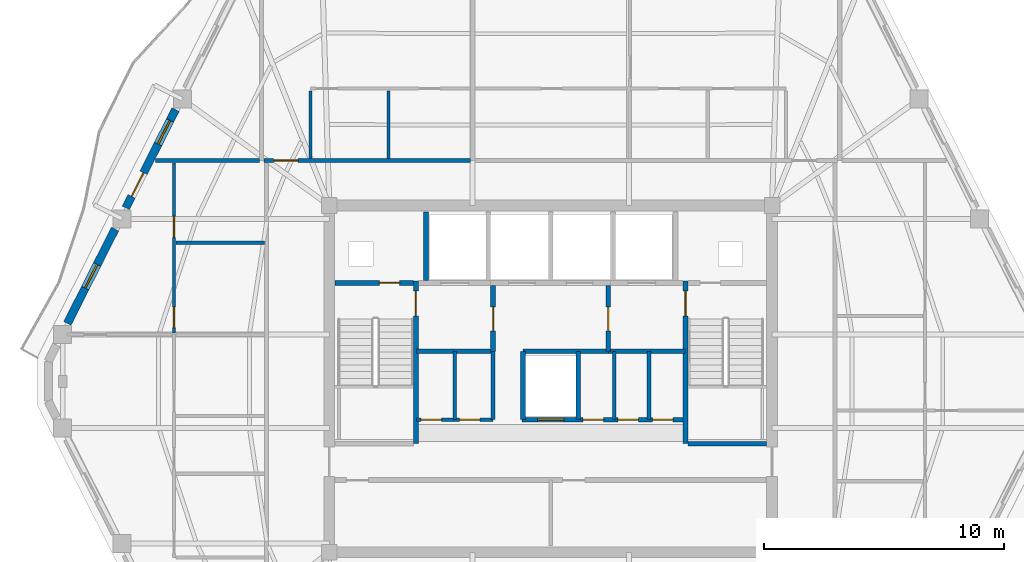
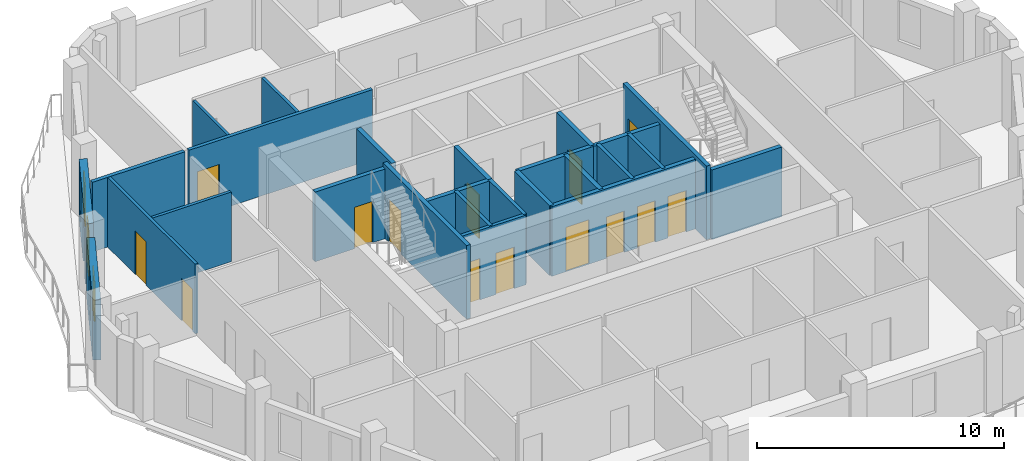
# One storey, part 5 of 11: 26 walls, 15 doors, 2 windows, 17 openings.
"""IFC4 building model written with IfcOpenShell, lengths in metres."""

from ifc_helpers import new_model, si_unit, direction, frame, frame_2d, origin, place, context, subcontext, project, spatial, rectangle, extrude, material, layer, layer_set, type_object, element, fill, save


model = new_model("IFC4")

# Units and contexts
model_context = context("Model", 3, precision=1e-05, world=origin(), true_north=direction((0.0, 1.0)))
body_context = subcontext(model_context, "Body", "Model", "MODEL_VIEW")
ifc_project = project(units=[si_unit("LENGTHUNIT", "METRE"), si_unit("AREAUNIT", "SQUARE_METRE"), si_unit("VOLUMEUNIT", "CUBIC_METRE"), si_unit("PLANEANGLEUNIT", "RADIAN"), si_unit("MASSUNIT", "GRAM", prefix="KILO")], contexts=[model_context])

# Site, building, storey
site_placement = place(None, origin())
site = spatial("IfcSite", under=ifc_project, at=site_placement, CompositionType="ELEMENT")
building_placement = place(site_placement, origin())
building = spatial("IfcBuilding", under=site, at=building_placement, Name="Cinnabar Lancet Tower", CompositionType="ELEMENT")
storey_placement = place(building_placement, frame((0.0, 0.0, 230.64990234375)))
storey = spatial("IfcBuildingStorey", under=building, at=storey_placement, Name="L61", CompositionType="ELEMENT", Elevation=230.64990234375)

# Wall, openings, doors
ifc_material_1 = material(Name="Acoustic twin-stud gypsum partition", Category="gypsum")
ifc_layer_1 = layer(ifc_material_1, 0.159912109375)
ifc_layer_set_1 = layer_set([ifc_layer_1], Name="Acoustic twin-stud gypsum partition")
wall_type_1 = type_object("IfcWallType", Name="ARC-WL-CORR-160", PredefinedType="PARTITIONING", material=ifc_layer_set_1)
wall_1_placement = place(storey_placement, frame((26.800048828125, 24.199951171875, 0.0), z_axis=(0.0, 0.0, 1.0), x_axis=(1.0, 0.0, 0.0)))
wall_1 = element("IfcWall", 1, at=wall_1_placement, inside=storey, type_object=wall_type_1, Name="CW-REC5S-L61", PredefinedType="PARTITIONING", context=body_context, shape_type="SweptSolid", body=[
    extrude(rectangle(XDim=3.199951171875, YDim=0.159912109375, at=frame_2d((1.60009765625, 0.0))), origin(), (0.0, 0.0, 1.0), 3.4501953125),
])
opening_1_placement = place(wall_1_placement, frame((0.199951171875, 0.0, 0.0)))
opening_1 = element("IfcOpeningElement", 2, at=opening_1_placement, cuts=wall_1, Name="Opening PD-02", PredefinedType="OPENING", context=body_context, shape_type="SweptSolid", body=[
    extrude(rectangle(XDim=0.85009765625, YDim=2.050048828125, at=frame_2d((0.425048828125, 1.02490234375))), frame((0.0, 0.08984375, 0.0), z_axis=(0.0, -1.0, 0.0), x_axis=(1.0, 0.0, 0.0)), (0.0, 0.0, 1.0), 0.179931640625),
])
opening_2_placement = place(wall_1_placement, frame((1.800048828125, 0.0, 0.0)))
opening_2 = element("IfcOpeningElement", 3, at=opening_2_placement, cuts=wall_1, Name="Opening PD-02", PredefinedType="OPENING", context=body_context, shape_type="SweptSolid", body=[
    extrude(rectangle(XDim=0.85009765625, YDim=2.050048828125, at=frame_2d((0.425048828125, 1.02490234375))), frame((0.0, 0.08984375, 0.0), z_axis=(0.0, -1.0, 0.0), x_axis=(1.0, 0.0, 0.0)), (0.0, 0.0, 1.0), 0.179931640625),
])
ifc_material_2 = material(Name="Fire-rated steel riser access door", Category="steel")
door_type_1 = type_object("IfcDoorType", Name="ARC-DR-RISER", OperationType="NOTDEFINED", PredefinedType="DOOR", material=ifc_material_2)
door_1_placement = place(opening_1_placement, origin())
door_1 = element("IfcDoor", 4, at=door_1_placement, inside=storey, type_object=door_type_1, Name="DR-L61-REC5A", OperationType="SINGLE_SWING_LEFT", OverallHeight=2.050048828125, OverallWidth=0.85009765625, PredefinedType="DOOR", context=body_context, shape_type="SweptSolid", body=[
    extrude(rectangle(XDim=0.85009765625, YDim=2.050048828125, at=frame_2d((0.425048828125, 1.02490234375))), frame((0.0, 0.02490234375, 0.0), z_axis=(0.0, -1.0, 0.0), x_axis=(1.0, 0.0, 0.0)), (0.0, 0.0, 1.0), 0.050048828125),
])
fill(opening_1, door_1)
door_2_placement = place(opening_2_placement, origin())
door_2 = element("IfcDoor", 5, at=door_2_placement, inside=storey, type_object=door_type_1, Name="DR-L61-REC5B", OperationType="SINGLE_SWING_RIGHT", OverallHeight=2.050048828125, OverallWidth=0.85009765625, PredefinedType="DOOR", context=body_context, shape_type="SweptSolid", body=[
    extrude(rectangle(XDim=0.85009765625, YDim=2.050048828125, at=frame_2d((0.425048828125, 1.02490234375))), frame((0.0, 0.02490234375, 0.0), z_axis=(0.0, -1.0, 0.0), x_axis=(1.0, 0.0, 0.0)), (0.0, 0.0, 1.0), 0.050048828125),
])
fill(opening_2, door_2)

# Walls
for number, where, z_axis, x_axis, name in (
    (6, (30.0, 24.199951171875, 0.0), (0.0, 0.0, 1.0), (0.0, 1.0, 0.0), "CW-REC5E-L61"),
    (7, (28.39990234375, 24.199951171875, 0.0), (0.0, 0.0, 1.0), (0.0, 1.0, 0.0), "CW-REC5D0-L61"),
    (8, (35.050048828125, 24.199951171875, 0.0), (0.0, 0.0, 1.0), (0.0, 1.0, 0.0), "CW-REC6D1-L61"),
    (9, (36.5, 24.199951171875, 0.0), (0.0, 0.0, 1.0), (0.0, 1.0, 0.0), "CW-REC6D2-L61"),
):
    element("IfcWall", number, at=place(storey_placement, frame(where, z_axis=z_axis, x_axis=x_axis)), inside=storey, type_object=wall_type_1, Name=name, PredefinedType="PARTITIONING", context=body_context, shape_type="SweptSolid", body=[
        extrude(rectangle(XDim=2.85009765625, YDim=0.159912109375, at=frame_2d((1.425048828125, 0.0))), origin(), (0.0, 0.0, 1.0), 3.4501953125),
    ])

# Wall, opening, door
wall_2_placement = place(storey_placement, frame((20.445068359375, 35.0, 0.0), z_axis=(0.0, 0.0, 1.0), x_axis=(1.0, 0.0, 0.0)))
wall_2 = element("IfcWall", 10, at=wall_2_placement, inside=storey, type_object=wall_type_1, Name="L61 Unit N01 Corridor Wall", PredefinedType="PARTITIONING", context=body_context, shape_type="SweptSolid", body=[
    extrude(rectangle(XDim=8.60595703125, YDim=0.159912109375, at=frame_2d((4.302978515625, 0.0))), origin(), (0.0, 0.0, 1.0), 3.4501953125),
])
opening_3_placement = place(wall_2_placement, frame((0.405029296875, 0.0, 0.0)))
opening_3 = element("IfcOpeningElement", 11, at=opening_3_placement, cuts=wall_2, Name="Opening UD-01", PredefinedType="OPENING", context=body_context, shape_type="SweptSolid", body=[
    extrude(rectangle(XDim=1.02001953125, YDim=2.25, at=frame_2d((0.510009765625, 1.125))), frame((0.0, 0.08984375, 0.0), z_axis=(0.0, -1.0, 0.0), x_axis=(1.0, 0.0, 0.0)), (0.0, 0.0, 1.0), 0.179931640625),
])
ifc_material_3 = material(Name="Solid timber fire-rated apartment entrance door", Category="wood")
door_type_2 = type_object("IfcDoorType", Name="ARC-DR-UNIT", OperationType="NOTDEFINED", PredefinedType="DOOR", material=ifc_material_3)
door_3_placement = place(opening_3_placement, origin())
door_3 = element("IfcDoor", 12, at=door_3_placement, inside=storey, type_object=door_type_2, Name="DR-L61-N01-ENT", OperationType="SINGLE_SWING_RIGHT", OverallHeight=2.25, OverallWidth=1.02001953125, PredefinedType="DOOR", context=body_context, shape_type="SweptSolid", body=[
    extrude(rectangle(XDim=1.02001953125, YDim=2.25, at=frame_2d((0.510009765625, 1.125))), frame((0.0, 0.02490234375, 0.0), z_axis=(0.0, -1.0, 0.0), x_axis=(1.0, 0.0, 0.0)), (0.0, 0.0, 1.0), 0.050048828125),
])
fill(opening_3, door_3)

# Walls
ifc_material_4 = material(Name="Fire-rated twin-frame acoustic drywall", Category="gypsum")
ifc_layer_2 = layer(ifc_material_4, 0.179931640625)
ifc_layer_set_2 = layer_set([ifc_layer_2], Name="Fire-rated twin-frame acoustic drywall")
wall_type_2 = type_object("IfcWallType", Name="ARC-WL-PARTY-180", PredefinedType="PARTITIONING", material=ifc_layer_set_2)
wall_3_placement = place(storey_placement, frame((15.93310546875, 35.0, 0.0), z_axis=(0.0, 0.0, 1.0), x_axis=(1.0, 0.0, 0.0)))
element("IfcWall", 13, at=wall_3_placement, inside=storey, type_object=wall_type_2, Name="PW-L61-WNB", PredefinedType="PARTITIONING", context=body_context, shape_type="SweptSolid", body=[
    extrude(rectangle(XDim=4.32177734375, YDim=0.179931640625, at=frame_2d((2.160888671875, 0.0))), origin(), (0.0, 0.0, 1.0), 3.4501953125),
])
ifc_material_5 = material(Name="Autoclaved aerated concrete blockwork", Category="masonry")
ifc_layer_3 = layer(ifc_material_5, 0.199951171875)
ifc_layer_set_3 = layer_set([ifc_layer_3], Name="Autoclaved aerated concrete blockwork")
wall_type_3 = type_object("IfcWallType", Name="ARC-WL-SHAFT-200", PredefinedType="PLUMBINGWALL", material=ifc_layer_set_3)
wall_4_placement = place(storey_placement, frame((38.125, 23.199951171875, 0.0), z_axis=(0.0, 0.0, 1.0), x_axis=(1.0, 0.0, 0.0)))
element("IfcWall", 14, at=wall_4_placement, inside=storey, type_object=wall_type_3, Name="CW-ST2S-L61", PredefinedType="PLUMBINGWALL", context=body_context, shape_type="SweptSolid", body=[
    extrude(rectangle(XDim=3.27001953125, YDim=0.199951171875, at=frame_2d((1.635009765625, 0.0))), origin(), (0.0, 0.0, 1.0), 3.4501953125),
])

# Wall, opening, door
wall_5_placement = place(storey_placement, frame((23.405029296875, 29.89990234375, 0.0), z_axis=(0.0, 0.0, 1.0), x_axis=(1.0, 0.0, 0.0)))
wall_5 = element("IfcWall", 15, at=wall_5_placement, inside=storey, type_object=wall_type_3, Name="CW-NSH-W-L61", PredefinedType="PLUMBINGWALL", context=body_context, shape_type="SweptSolid", body=[
    extrude(rectangle(XDim=3.27001953125, YDim=0.199951171875, at=frame_2d((1.635009765625, 0.0))), origin(), (0.0, 0.0, 1.0), 3.4501953125),
])
opening_4_placement = place(wall_5_placement, frame((1.85009765625, 0.0, 0.0)))
opening_4 = element("IfcOpeningElement", 16, at=opening_4_placement, cuts=wall_5, Name="Opening PD-02", PredefinedType="OPENING", context=body_context, shape_type="SweptSolid", body=[
    extrude(rectangle(XDim=0.85009765625, YDim=2.050048828125, at=frame_2d((0.425048828125, 1.02490234375))), frame((0.0, 0.10986328125, 0.0), z_axis=(0.0, -1.0, 0.0), x_axis=(1.0, 0.0, 0.0)), (0.0, 0.0, 1.0), 0.219970703125),
])
door_4_placement = place(opening_4_placement, origin())
door_4 = element("IfcDoor", 17, at=door_4_placement, inside=storey, type_object=door_type_1, Name="L61 West Riser Access Door", OperationType="SINGLE_SWING_LEFT", OverallHeight=2.050048828125, OverallWidth=0.85009765625, PredefinedType="DOOR", context=body_context, shape_type="SweptSolid", body=[
    extrude(rectangle(XDim=0.85009765625, YDim=2.050048828125, at=frame_2d((0.425048828125, 1.02490234375))), frame((0.0, 0.02490234375, 0.0), z_axis=(0.0, -1.0, 0.0), x_axis=(1.0, 0.0, 0.0)), (0.0, 0.0, 1.0), 0.050048828125),
])
fill(opening_4, door_4)

# Wall
wall_6_placement = place(storey_placement, frame((27.199951171875, 30.0, 0.0), z_axis=(0.0, 0.0, 1.0), x_axis=(0.0, 1.0, 0.0)))
element("IfcWall", 18, at=wall_6_placement, inside=storey, type_object=wall_type_3, Name="CW-NSH-D1-L61", PredefinedType="PLUMBINGWALL", context=body_context, shape_type="SweptSolid", body=[
    extrude(rectangle(XDim=2.85009765625, YDim=0.199951171875, at=frame_2d((1.425048828125, 0.0))), origin(), (0.0, 0.0, 1.0), 3.4501953125),
])

# Wall, opening, door
wall_7_placement = place(storey_placement, frame((30.0, 27.050048828125, 0.0), z_axis=(0.0, 0.0, 1.0), x_axis=(0.0, 1.0, 0.0)))
wall_7 = element("IfcWall", 19, at=wall_7_placement, inside=storey, type_object=wall_type_3, Name="CW-FF1E-L61", PredefinedType="PLUMBINGWALL", context=body_context, shape_type="SweptSolid", body=[
    extrude(rectangle(XDim=2.75, YDim=0.199951171875, at=frame_2d((1.375, 0.0))), origin(), (0.0, 0.0, 1.0), 3.4501953125),
])
opening_5_placement = place(wall_7_placement, frame((0.85009765625, 0.0, 0.0)))
opening_5 = element("IfcOpeningElement", 20, at=opening_5_placement, cuts=wall_7, Name="Opening FD-01", PredefinedType="OPENING", context=body_context, shape_type="SweptSolid", body=[
    extrude(rectangle(XDim=1.0, YDim=2.14990234375, at=frame_2d((0.5, 1.074951171875))), frame((0.0, 0.10986328125, 0.0), z_axis=(0.0, -1.0, 0.0), x_axis=(1.0, 0.0, 0.0)), (0.0, 0.0, 1.0), 0.219970703125),
])
ifc_material_6 = material(Name="Fire-rated timber-core lobby door", Category="wood")
door_type_3 = type_object("IfcDoorType", Name="ARC-DR-FFAL", OperationType="NOTDEFINED", PredefinedType="DOOR", material=ifc_material_6)
door_5_placement = place(opening_5_placement, origin())
door_5 = element("IfcDoor", 21, at=door_5_placement, inside=storey, type_object=door_type_3, Name="L61 FFAL-1 Lobby Fire Door", OperationType="SINGLE_SWING_RIGHT", OverallHeight=2.14990234375, OverallWidth=1.0, PredefinedType="DOOR", context=body_context, shape_type="SweptSolid", body=[
    extrude(rectangle(XDim=1.0, YDim=2.14990234375, at=frame_2d((0.5, 1.074951171875))), frame((0.0, 0.02490234375, 0.0), z_axis=(0.0, -1.0, 0.0), x_axis=(1.0, 0.0, 0.0)), (0.0, 0.0, 1.0), 0.050048828125),
])
fill(opening_5, door_5)

# Wall
wall_8_placement = place(storey_placement, frame((26.800048828125, 27.050048828125, 0.0), z_axis=(0.0, 0.0, 1.0), x_axis=(1.0, 0.0, 0.0)))
element("IfcWall", 22, at=wall_8_placement, inside=storey, type_object=wall_type_3, Name="CW-FF1S-L61", PredefinedType="PLUMBINGWALL", context=body_context, shape_type="SweptSolid", body=[
    extrude(rectangle(XDim=3.199951171875, YDim=0.199951171875, at=frame_2d((1.60009765625, 0.0))), origin(), (0.0, 0.0, 1.0), 3.4501953125),
])

# Wall, opening, door
wall_9_placement = place(storey_placement, frame((34.800048828125, 27.050048828125, 0.0), z_axis=(0.0, 0.0, 1.0), x_axis=(0.0, 1.0, 0.0)))
wall_9 = element("IfcWall", 23, at=wall_9_placement, inside=storey, type_object=wall_type_3, Name="CW-FF2W-L61", PredefinedType="PLUMBINGWALL", context=body_context, shape_type="SweptSolid", body=[
    extrude(rectangle(XDim=2.75, YDim=0.199951171875, at=frame_2d((1.375, 0.0))), origin(), (0.0, 0.0, 1.0), 3.4501953125),
])
opening_6_placement = place(wall_9_placement, frame((0.85009765625, 0.0, 0.0)))
opening_6 = element("IfcOpeningElement", 24, at=opening_6_placement, cuts=wall_9, Name="Opening FD-01", PredefinedType="OPENING", context=body_context, shape_type="SweptSolid", body=[
    extrude(rectangle(XDim=1.0, YDim=2.14990234375, at=frame_2d((0.5, 1.074951171875))), frame((0.0, 0.10986328125, 0.0), z_axis=(0.0, -1.0, 0.0), x_axis=(1.0, 0.0, 0.0)), (0.0, 0.0, 1.0), 0.219970703125),
])
door_6_placement = place(opening_6_placement, origin())
door_6 = element("IfcDoor", 25, at=door_6_placement, inside=storey, type_object=door_type_3, Name="L61 FFAL-2 Lobby Fire Door", OperationType="SINGLE_SWING_LEFT", OverallHeight=2.14990234375, OverallWidth=1.0, PredefinedType="DOOR", context=body_context, shape_type="SweptSolid", body=[
    extrude(rectangle(XDim=1.0, YDim=2.14990234375, at=frame_2d((0.5, 1.074951171875))), frame((0.0, 0.02490234375, 0.0), z_axis=(0.0, -1.0, 0.0), x_axis=(1.0, 0.0, 0.0)), (0.0, 0.0, 1.0), 0.050048828125),
])
fill(opening_6, door_6)

# Wall
wall_10_placement = place(storey_placement, frame((34.800048828125, 27.050048828125, 0.0), z_axis=(0.0, 0.0, 1.0), x_axis=(1.0, 0.0, 0.0)))
element("IfcWall", 26, at=wall_10_placement, inside=storey, type_object=wall_type_3, Name="CW-FF2S-L61", PredefinedType="PLUMBINGWALL", context=body_context, shape_type="SweptSolid", body=[
    extrude(rectangle(XDim=3.199951171875, YDim=0.199951171875, at=frame_2d((1.60009765625, 0.0))), origin(), (0.0, 0.0, 1.0), 3.4501953125),
])

# Wall, openings, doors
wall_11_placement = place(storey_placement, frame((31.199951171875, 24.199951171875, 0.0), z_axis=(0.0, 0.0, 1.0), x_axis=(1.0, 0.0, 0.0)))
wall_11 = element("IfcWall", 27, at=wall_11_placement, inside=storey, type_object=wall_type_3, Name="CW-PL96S-L61", PredefinedType="PLUMBINGWALL", context=body_context, shape_type="SweptSolid", body=[
    extrude(rectangle(XDim=6.800048828125, YDim=0.199951171875, at=frame_2d((3.39990234375, 0.0))), origin(), (0.0, 0.0, 1.0), 3.4501953125),
])
opening_7_placement = place(wall_11_placement, frame((0.64990234375, 0.0, 0.0)))
opening_7 = element("IfcOpeningElement", 28, at=opening_7_placement, cuts=wall_11, Name="Opening LD-01", PredefinedType="OPENING", context=body_context, shape_type="SweptSolid", body=[
    extrude(rectangle(XDim=1.10009765625, YDim=2.199951171875, at=frame_2d((0.550048828125, 1.10009765625))), frame((0.0, 0.10986328125, 0.0), z_axis=(0.0, -1.0, 0.0), x_axis=(1.0, 0.0, 0.0)), (0.0, 0.0, 1.0), 0.219970703125),
])
opening_8_placement = place(wall_11_placement, frame((2.550048828125, 0.0, 0.0)))
opening_8 = element("IfcOpeningElement", 29, at=opening_8_placement, cuts=wall_11, Name="Opening PD-02", PredefinedType="OPENING", context=body_context, shape_type="SweptSolid", body=[
    extrude(rectangle(XDim=0.85009765625, YDim=2.050048828125, at=frame_2d((0.425048828125, 1.02490234375))), frame((0.0, 0.10986328125, 0.0), z_axis=(0.0, -1.0, 0.0), x_axis=(1.0, 0.0, 0.0)), (0.0, 0.0, 1.0), 0.219970703125),
])
opening_9_placement = place(wall_11_placement, frame((4.0, 0.0, 0.0)))
opening_9 = element("IfcOpeningElement", 30, at=opening_9_placement, cuts=wall_11, Name="Opening PD-02", PredefinedType="OPENING", context=body_context, shape_type="SweptSolid", body=[
    extrude(rectangle(XDim=0.85009765625, YDim=2.050048828125, at=frame_2d((0.425048828125, 1.02490234375))), frame((0.0, 0.10986328125, 0.0), z_axis=(0.0, -1.0, 0.0), x_axis=(1.0, 0.0, 0.0)), (0.0, 0.0, 1.0), 0.219970703125),
])
opening_10_placement = place(wall_11_placement, frame((5.449951171875, 0.0, 0.0)))
opening_10 = element("IfcOpeningElement", 31, at=opening_10_placement, cuts=wall_11, Name="Opening PD-02", PredefinedType="OPENING", context=body_context, shape_type="SweptSolid", body=[
    extrude(rectangle(XDim=0.85009765625, YDim=2.050048828125, at=frame_2d((0.425048828125, 1.02490234375))), frame((0.0, 0.10986328125, 0.0), z_axis=(0.0, -1.0, 0.0), x_axis=(1.0, 0.0, 0.0)), (0.0, 0.0, 1.0), 0.219970703125),
])
ifc_material_7 = material(Name="Brushed stainless steel sliding lift door", Category="steel")
door_type_4 = type_object("IfcDoorType", Name="ARC-DR-LD-PASS", OperationType="NOTDEFINED", PredefinedType="DOOR", material=ifc_material_7)
door_7_placement = place(opening_7_placement, origin())
door_7 = element("IfcDoor", 32, at=door_7_placement, inside=storey, type_object=door_type_4, Name="L61 Lift PL-9 Landing Door", OperationType="DOUBLE_DOOR_SLIDING", OverallHeight=2.199951171875, OverallWidth=1.10009765625, PredefinedType="DOOR", context=body_context, shape_type="SweptSolid", body=[
    extrude(rectangle(XDim=1.10009765625, YDim=2.199951171875, at=frame_2d((0.550048828125, 1.10009765625))), frame((0.0, 0.02490234375, 0.0), z_axis=(0.0, -1.0, 0.0), x_axis=(1.0, 0.0, 0.0)), (0.0, 0.0, 1.0), 0.050048828125),
])
fill(opening_7, door_7)
door_8_placement = place(opening_8_placement, origin())
door_8 = element("IfcDoor", 33, at=door_8_placement, inside=storey, type_object=door_type_1, Name="DR-L61-REC6A", OperationType="SINGLE_SWING_LEFT", OverallHeight=2.050048828125, OverallWidth=0.85009765625, PredefinedType="DOOR", context=body_context, shape_type="SweptSolid", body=[
    extrude(rectangle(XDim=0.85009765625, YDim=2.050048828125, at=frame_2d((0.425048828125, 1.02490234375))), frame((0.0, 0.02490234375, 0.0), z_axis=(0.0, -1.0, 0.0), x_axis=(1.0, 0.0, 0.0)), (0.0, 0.0, 1.0), 0.050048828125),
])
fill(opening_8, door_8)
door_9_placement = place(opening_9_placement, origin())
door_9 = element("IfcDoor", 34, at=door_9_placement, inside=storey, type_object=door_type_1, Name="DR-L61-REC6B", OperationType="SINGLE_SWING_RIGHT", OverallHeight=2.050048828125, OverallWidth=0.85009765625, PredefinedType="DOOR", context=body_context, shape_type="SweptSolid", body=[
    extrude(rectangle(XDim=0.85009765625, YDim=2.050048828125, at=frame_2d((0.425048828125, 1.02490234375))), frame((0.0, 0.02490234375, 0.0), z_axis=(0.0, -1.0, 0.0), x_axis=(1.0, 0.0, 0.0)), (0.0, 0.0, 1.0), 0.050048828125),
])
fill(opening_9, door_9)
door_10_placement = place(opening_10_placement, origin())
door_10 = element("IfcDoor", 35, at=door_10_placement, inside=storey, type_object=door_type_1, Name="DR-L61-REC6C", OperationType="SINGLE_SWING_LEFT", OverallHeight=2.050048828125, OverallWidth=0.85009765625, PredefinedType="DOOR", context=body_context, shape_type="SweptSolid", body=[
    extrude(rectangle(XDim=0.85009765625, YDim=2.050048828125, at=frame_2d((0.425048828125, 1.02490234375))), frame((0.0, 0.02490234375, 0.0), z_axis=(0.0, -1.0, 0.0), x_axis=(1.0, 0.0, 0.0)), (0.0, 0.0, 1.0), 0.050048828125),
])
fill(opening_10, door_10)

# Walls
for number, where, z_axis, x_axis, name in (
    (36, (31.25, 24.199951171875, 0.0), (0.0, 0.0, 1.0), (0.0, 1.0, 0.0), "CW-PL9W-L61"),
    (37, (33.550048828125, 24.199951171875, 0.0), (0.0, 0.0, 1.0), (0.0, 1.0, 0.0), "CW-PL9E-L61"),
):
    element("IfcWall", number, at=place(storey_placement, frame(where, z_axis=z_axis, x_axis=x_axis)), inside=storey, type_object=wall_type_3, Name=name, PredefinedType="PLUMBINGWALL", context=body_context, shape_type="SweptSolid", body=[
        extrude(rectangle(XDim=2.85009765625, YDim=0.199951171875, at=frame_2d((1.425048828125, 0.0))), origin(), (0.0, 0.0, 1.0), 3.4501953125),
    ])
wall_12_placement = place(storey_placement, frame((31.25, 27.050048828125, 0.0), z_axis=(0.0, 0.0, 1.0), x_axis=(1.0, 0.0, 0.0)))
element("IfcWall", 38, at=wall_12_placement, inside=storey, type_object=wall_type_3, Name="CW-PL96N-L61", PredefinedType="PLUMBINGWALL", context=body_context, shape_type="SweptSolid", body=[
    extrude(rectangle(XDim=3.550048828125, YDim=0.199951171875, at=frame_2d((1.77490234375, 0.0))), origin(), (0.0, 0.0, 1.0), 3.4501953125),
])
ifc_material_8 = material(Name="Gypsum plasterboard stud partition", Category="gypsum")
ifc_layer_4 = layer(ifc_material_8, 0.125)
ifc_layer_set_4 = layer_set([ifc_layer_4], Name="Gypsum plasterboard stud partition")
wall_type_4 = type_object("IfcWallType", Name="ARC-WL-UNIT-125", PredefinedType="PARTITIONING", material=ifc_layer_set_4)
wall_13_placement = place(storey_placement, frame((22.39990234375, 35.0849609375, 0.0), z_axis=(0.0, 0.0, 1.0), x_axis=(0.0, 1.0, 0.0)))
element("IfcWall", 39, at=wall_13_placement, inside=storey, type_object=wall_type_4, Name="UW-L61-N01-FOYE", PredefinedType="PARTITIONING", context=body_context, shape_type="SweptSolid", body=[
    extrude(rectangle(XDim=2.81103515625, YDim=0.125, at=frame_2d((1.405517578125, 0.0))), origin(), (0.0, 0.0, 1.0), 3.4501953125),
])
ifc_material_9 = material(Name="Moisture-resistant cement-board plumbing wall", Category="masonry")
ifc_layer_5 = layer(ifc_material_9, 0.139892578125)
ifc_layer_set_5 = layer_set([ifc_layer_5], Name="Moisture-resistant cement-board plumbing wall")
wall_type_5 = type_object("IfcWallType", Name="ARC-WL-WET-140", PredefinedType="PLUMBINGWALL", material=ifc_layer_set_5)
wall_14_placement = place(storey_placement, frame((25.637939453125, 35.0849609375, 0.0), z_axis=(0.0, 0.0, 1.0), x_axis=(0.0, 1.0, 0.0)))
element("IfcWall", 40, at=wall_14_placement, inside=storey, type_object=wall_type_5, Name="UW-L61-N01-KDV", PredefinedType="PLUMBINGWALL", context=body_context, shape_type="SweptSolid", body=[
    extrude(rectangle(XDim=2.81103515625, YDim=0.139892578125, at=frame_2d((1.405517578125, 0.0))), origin(), (0.0, 0.0, 1.0), 3.4501953125),
])

# Wall, openings, doors
wall_15_placement = place(storey_placement, frame((16.699951171875, 27.81591796875, 0.0), z_axis=(0.0, 0.0, 1.0), x_axis=(0.0, 1.0, 0.0)))
wall_15 = element("IfcWall", 41, at=wall_15_placement, inside=storey, type_object=wall_type_5, Name="UW-L61-W01-SPM", PredefinedType="PLUMBINGWALL", context=body_context, shape_type="SweptSolid", body=[
    extrude(rectangle(XDim=7.089111328125, YDim=0.139892578125, at=frame_2d((3.54443359375, 0.0))), origin(), (0.0, 0.0, 1.0), 3.4501953125),
])
opening_11_placement = place(wall_15_placement, frame((0.219970703125, 0.0, 0.0)))
opening_11 = element("IfcOpeningElement", 42, at=opening_11_placement, cuts=wall_15, Name="Opening BD-01", PredefinedType="OPENING", context=body_context, shape_type="SweptSolid", body=[
    extrude(rectangle(XDim=0.860107421875, YDim=2.10009765625, at=frame_2d((0.43017578125, 1.050048828125))), frame((0.0, 0.079833984375, 0.0), z_axis=(0.0, -1.0, 0.0), x_axis=(1.0, 0.0, 0.0)), (0.0, 0.0, 1.0), 0.159912109375),
])
opening_12_placement = place(wall_15_placement, frame((3.97998046875, 0.0, 0.0)))
opening_12 = element("IfcOpeningElement", 43, at=opening_12_placement, cuts=wall_15, Name="Opening RD-02", PredefinedType="OPENING", context=body_context, shape_type="SweptSolid", body=[
    extrude(rectangle(XDim=0.8798828125, YDim=2.14990234375, at=frame_2d((0.43994140625, 1.074951171875))), frame((0.0, 0.079833984375, 0.0), z_axis=(0.0, -1.0, 0.0), x_axis=(1.0, 0.0, 0.0)), (0.0, 0.0, 1.0), 0.159912109375),
])
ifc_material_10 = material(Name="Moisture-resistant timber bathroom door", Category="wood")
door_type_5 = type_object("IfcDoorType", Name="ARC-DR-BATH", OperationType="NOTDEFINED", PredefinedType="DOOR", material=ifc_material_10)
door_11_placement = place(opening_11_placement, origin())
door_11 = element("IfcDoor", 44, at=door_11_placement, inside=storey, type_object=door_type_5, Name="DR-L61-W01-ENS", OperationType="SINGLE_SWING_LEFT", OverallHeight=2.10009765625, OverallWidth=0.860107421875, PredefinedType="DOOR", context=body_context, shape_type="SweptSolid", body=[
    extrude(rectangle(XDim=0.860107421875, YDim=2.10009765625, at=frame_2d((0.43017578125, 1.050048828125))), frame((0.0, 0.02490234375, 0.0), z_axis=(0.0, -1.0, 0.0), x_axis=(1.0, 0.0, 0.0)), (0.0, 0.0, 1.0), 0.050048828125),
])
fill(opening_11, door_11)
ifc_material_11 = material(Name="Engineered timber study door", Category="wood")
door_type_6 = type_object("IfcDoorType", Name="ARC-DR-STUDY", OperationType="NOTDEFINED", PredefinedType="DOOR", material=ifc_material_11)
door_12_placement = place(opening_12_placement, origin())
door_12 = element("IfcDoor", 45, at=door_12_placement, inside=storey, type_object=door_type_6, Name="DR-L61-W01-EWDR", OperationType="SINGLE_SWING_RIGHT", OverallHeight=2.14990234375, OverallWidth=0.8798828125, PredefinedType="DOOR", context=body_context, shape_type="SweptSolid", body=[
    extrude(rectangle(XDim=0.8798828125, YDim=2.14990234375, at=frame_2d((0.43994140625, 1.074951171875))), frame((0.0, 0.02490234375, 0.0), z_axis=(0.0, -1.0, 0.0), x_axis=(1.0, 0.0, 0.0)), (0.0, 0.0, 1.0), 0.050048828125),
])
fill(opening_12, door_12)

# Wall
wall_16_placement = place(storey_placement, frame((16.784912109375, 31.575927734375, 0.0), z_axis=(0.0, 0.0, 1.0), x_axis=(1.0, 0.0, 0.0)))
element("IfcWall", 46, at=wall_16_placement, inside=storey, type_object=wall_type_5, Name="UW-L61-W01-EWDV", PredefinedType="PLUMBINGWALL", context=body_context, shape_type="SweptSolid", body=[
    extrude(rectangle(XDim=3.68017578125, YDim=0.139892578125, at=frame_2d((1.840087890625, 0.0))), origin(), (0.0, 0.0, 1.0), 3.4501953125),
])

# Wall, openings, door, window
ifc_material_12 = material(Name="Cinnabar red clay brick", Category="masonry")
ifc_layer_6 = layer(ifc_material_12, 0.340087890625)
ifc_layer_set_6 = layer_set([ifc_layer_6], Name="Cinnabar red clay brick")
wall_type_6 = type_object("IfcWallType", Name="ENV-WL-BRK-RED-340", PredefinedType="STANDARD", material=ifc_layer_set_6)
wall_17_placement = place(storey_placement, frame((16.76806640625, 37.126953125, 0.0), z_axis=(0.0, 0.0, 1.0), x_axis=(-0.451581819983, -0.892229712496, 0.0)))
wall_17 = element("IfcWall", 47, at=wall_17_placement, inside=storey, type_object=wall_type_6, Name="L61 Face 5 Masonry Bay Wall 3", PredefinedType="STANDARD", context=body_context, shape_type="SweptSolid", body=[
    extrude(rectangle(XDim=4.599609375, YDim=0.340087890625, at=frame_2d((2.2998046875, 0.0))), origin(), (0.0, 0.0, 1.0), 2.983154296875),
])
opening_13_placement = place(wall_17_placement, frame((2.9580078125, 0.0, 0.0)))
opening_13 = element("IfcOpeningElement", 48, at=opening_13_placement, cuts=wall_17, Name="Opening TD-01", PredefinedType="OPENING", context=body_context, shape_type="SweptSolid", body=[
    extrude(rectangle(XDim=1.10009765625, YDim=2.25, at=frame_2d((0.550048828125, 1.125))), frame((0.0, 0.179931640625, 0.0), z_axis=(0.0, -1.0, 0.0), x_axis=(1.0, 0.0, 0.0)), (0.0, 0.0, 1.0), 0.360107421875),
])
opening_14_placement = place(wall_17_placement, frame((0.511962890625, 0.0, 0.75)))
opening_14 = element("IfcOpeningElement", 49, at=opening_14_placement, cuts=wall_17, Name="Opening WN-04", PredefinedType="OPENING", context=body_context, shape_type="SweptSolid", body=[
    extrude(rectangle(XDim=1.10009765625, YDim=2.0, at=frame_2d((0.550048828125, 1.0))), frame((0.0, 0.179931640625, 0.0), z_axis=(0.0, -1.0, 0.0), x_axis=(1.0, 0.0, 0.0)), (0.0, 0.0, 1.0), 0.360107421875),
])
ifc_material_13 = material(Name="Thermally broken low-E glazed balcony terrace door", Category="wood")
door_type_7 = type_object("IfcDoorType", Name="ARC-DR-BALC", OperationType="NOTDEFINED", PredefinedType="DOOR", material=ifc_material_13)
door_13_placement = place(opening_13_placement, origin())
door_13 = element("IfcDoor", 50, at=door_13_placement, inside=storey, type_object=door_type_7, Name="L61 Face 5 Glazed Terrace Door", OperationType="SINGLE_SWING_LEFT", OverallHeight=2.25, OverallWidth=1.10009765625, PredefinedType="DOOR", context=body_context, shape_type="SweptSolid", body=[
    extrude(rectangle(XDim=1.10009765625, YDim=2.25, at=frame_2d((0.550048828125, 1.125))), frame((0.0, 0.02490234375, 0.0), z_axis=(0.0, -1.0, 0.0), x_axis=(1.0, 0.0, 0.0)), (0.0, 0.0, 1.0), 0.050048828125),
])
fill(opening_13, door_13)
ifc_material_14 = material(Name="Thermally broken bronze-anodized aluminium tall lancet window", Category="aluminium")
window_type = type_object("IfcWindowType", Name="ENV-WN-LANCET-1100", PartitioningType="SINGLE_PANEL", PredefinedType="WINDOW", material=ifc_material_14)
window_1_placement = place(opening_14_placement, origin())
window_1 = element("IfcWindow", 51, at=window_1_placement, inside=storey, type_object=window_type, Name="L61 Split-Bay Gothic Lancet Window 213", OverallHeight=2.0, OverallWidth=1.10009765625, PartitioningType="SINGLE_PANEL", PredefinedType="WINDOW", context=body_context, shape_type="SweptSolid", body=[
    extrude(rectangle(XDim=1.10009765625, YDim=2.0, at=frame_2d((0.550048828125, 1.0))), frame((0.0, 0.030029296875, 0.0), z_axis=(0.0, -1.0, 0.0), x_axis=(1.0, 0.0, 0.0)), (0.0, 0.0, 1.0), 0.06005859375),
])
fill(opening_14, window_1)

# Wall, opening, window
wall_18_placement = place(storey_placement, frame((14.24609375, 32.14404296875, 0.0), z_axis=(0.0, 0.0, 1.0), x_axis=(-0.451285866323, -0.892379441077, 0.0)))
wall_18 = element("IfcWall", 52, at=wall_18_placement, inside=storey, type_object=wall_type_6, Name="L61 Face 5 Masonry Bay Wall 4", PredefinedType="STANDARD", context=body_context, shape_type="SweptSolid", body=[
    extrude(rectangle(XDim=4.407470703125, YDim=0.340087890625, at=frame_2d((2.20361328125, 0.0))), origin(), (0.0, 0.0, 1.0), 2.983154296875),
])
opening_15_placement = place(wall_18_placement, frame((1.654052734375, 0.0, 0.75)))
opening_15 = element("IfcOpeningElement", 53, at=opening_15_placement, cuts=wall_18, Name="Opening WN-04", PredefinedType="OPENING", context=body_context, shape_type="SweptSolid", body=[
    extrude(rectangle(XDim=1.10009765625, YDim=2.0, at=frame_2d((0.550048828125, 1.0))), frame((0.0, 0.179931640625, 0.0), z_axis=(0.0, -1.0, 0.0), x_axis=(1.0, 0.0, 0.0)), (0.0, 0.0, 1.0), 0.360107421875),
])
window_2_placement = place(opening_15_placement, origin())
window_2 = element("IfcWindow", 54, at=window_2_placement, inside=storey, type_object=window_type, Name="L61 Face 5 Gothic Lancet Window 4", OverallHeight=2.0, OverallWidth=1.10009765625, PartitioningType="SINGLE_PANEL", PredefinedType="WINDOW", context=body_context, shape_type="SweptSolid", body=[
    extrude(rectangle(XDim=1.10009765625, YDim=2.0, at=frame_2d((0.550048828125, 1.0))), frame((0.0, 0.030029296875, 0.0), z_axis=(0.0, -1.0, 0.0), x_axis=(1.0, 0.0, 0.0)), (0.0, 0.0, 1.0), 0.06005859375),
])
fill(opening_15, window_2)

# Wall, opening, door
ifc_material_15 = material(Name="Concrete C50/60", Category="concrete")
ifc_layer_7 = layer(ifc_material_15, 0.199951171875)
ifc_layer_set_7 = layer_set([ifc_layer_7], Name="Concrete C50/60")
wall_type_7 = type_object("IfcWallType", Name="STR-WL-STAIR-200", PredefinedType="SHEAR", material=ifc_layer_set_7)
wall_19_placement = place(storey_placement, frame((26.780029296875, 23.199951171875, 0.0), z_axis=(0.0, 0.0, 1.0), x_axis=(0.0, 1.0, 0.0)))
wall_19 = element("IfcWall", 55, at=wall_19_placement, inside=storey, type_object=wall_type_7, Name="L61 Stair ST-1 Structural Enclosure Wall", PredefinedType="SHEAR", context=body_context, shape_type="SweptSolid", body=[
    extrude(rectangle(XDim=6.780029296875, YDim=0.199951171875, at=frame_2d((3.39013671875, 0.0))), origin(), (0.0, 0.0, 1.0), 3.650146484375),
])
opening_16_placement = place(wall_19_placement, frame((5.320068359375, 0.0, 0.0)))
opening_16 = element("IfcOpeningElement", 56, at=opening_16_placement, cuts=wall_19, Name="Opening SD-01", PredefinedType="OPENING", context=body_context, shape_type="SweptSolid", body=[
    extrude(rectangle(XDim=1.050048828125, YDim=2.14990234375, at=frame_2d((0.52490234375, 1.074951171875))), frame((0.0, 0.10986328125, 0.0), z_axis=(0.0, -1.0, 0.0), x_axis=(1.0, 0.0, 0.0)), (0.0, 0.0, 1.0), 0.219970703125),
])
ifc_material_16 = material(Name="Fire-rated steel stair exit door", Category="steel")
door_type_8 = type_object("IfcDoorType", Name="ARC-DR-STAIR", OperationType="NOTDEFINED", PredefinedType="DOOR", material=ifc_material_16)
door_14_placement = place(opening_16_placement, origin())
door_14 = element("IfcDoor", 57, at=door_14_placement, inside=storey, type_object=door_type_8, Name="L61 Stair ST-1 Fire Door", OperationType="SINGLE_SWING_LEFT", OverallHeight=2.14990234375, OverallWidth=1.050048828125, PredefinedType="DOOR", context=body_context, shape_type="SweptSolid", body=[
    extrude(rectangle(XDim=1.050048828125, YDim=2.14990234375, at=frame_2d((0.52490234375, 1.074951171875))), frame((0.0, 0.02490234375, 0.0), z_axis=(0.0, -1.0, 0.0), x_axis=(1.0, 0.0, 0.0)), (0.0, 0.0, 1.0), 0.050048828125),
])
fill(opening_16, door_14)

wall_20_placement = place(storey_placement, frame((38.02001953125, 23.199951171875, 0.0), z_axis=(0.0, 0.0, 1.0), x_axis=(0.0, 1.0, 0.0)))
wall_20 = element("IfcWall", 58, at=wall_20_placement, inside=storey, type_object=wall_type_7, Name="L61 Stair ST-2 Structural Enclosure Wall", PredefinedType="SHEAR", context=body_context, shape_type="SweptSolid", body=[
    extrude(rectangle(XDim=6.780029296875, YDim=0.199951171875, at=frame_2d((3.39013671875, 0.0))), origin(), (0.0, 0.0, 1.0), 3.650146484375),
])
opening_17_placement = place(wall_20_placement, frame((5.320068359375, 0.0, 0.0)))
opening_17 = element("IfcOpeningElement", 59, at=opening_17_placement, cuts=wall_20, Name="Opening SD-01", PredefinedType="OPENING", context=body_context, shape_type="SweptSolid", body=[
    extrude(rectangle(XDim=1.050048828125, YDim=2.14990234375, at=frame_2d((0.52490234375, 1.074951171875))), frame((0.0, 0.10986328125, 0.0), z_axis=(0.0, -1.0, 0.0), x_axis=(1.0, 0.0, 0.0)), (0.0, 0.0, 1.0), 0.219970703125),
])
door_15_placement = place(opening_17_placement, origin())
door_15 = element("IfcDoor", 60, at=door_15_placement, inside=storey, type_object=door_type_8, Name="L61 Stair ST-2 Fire Door", OperationType="SINGLE_SWING_RIGHT", OverallHeight=2.14990234375, OverallWidth=1.050048828125, PredefinedType="DOOR", context=body_context, shape_type="SweptSolid", body=[
    extrude(rectangle(XDim=1.050048828125, YDim=2.14990234375, at=frame_2d((0.52490234375, 1.074951171875))), frame((0.0, 0.02490234375, 0.0), z_axis=(0.0, -1.0, 0.0), x_axis=(1.0, 0.0, 0.0)), (0.0, 0.0, 1.0), 0.050048828125),
])
fill(opening_17, door_15)

save(model, "model.ifc")
